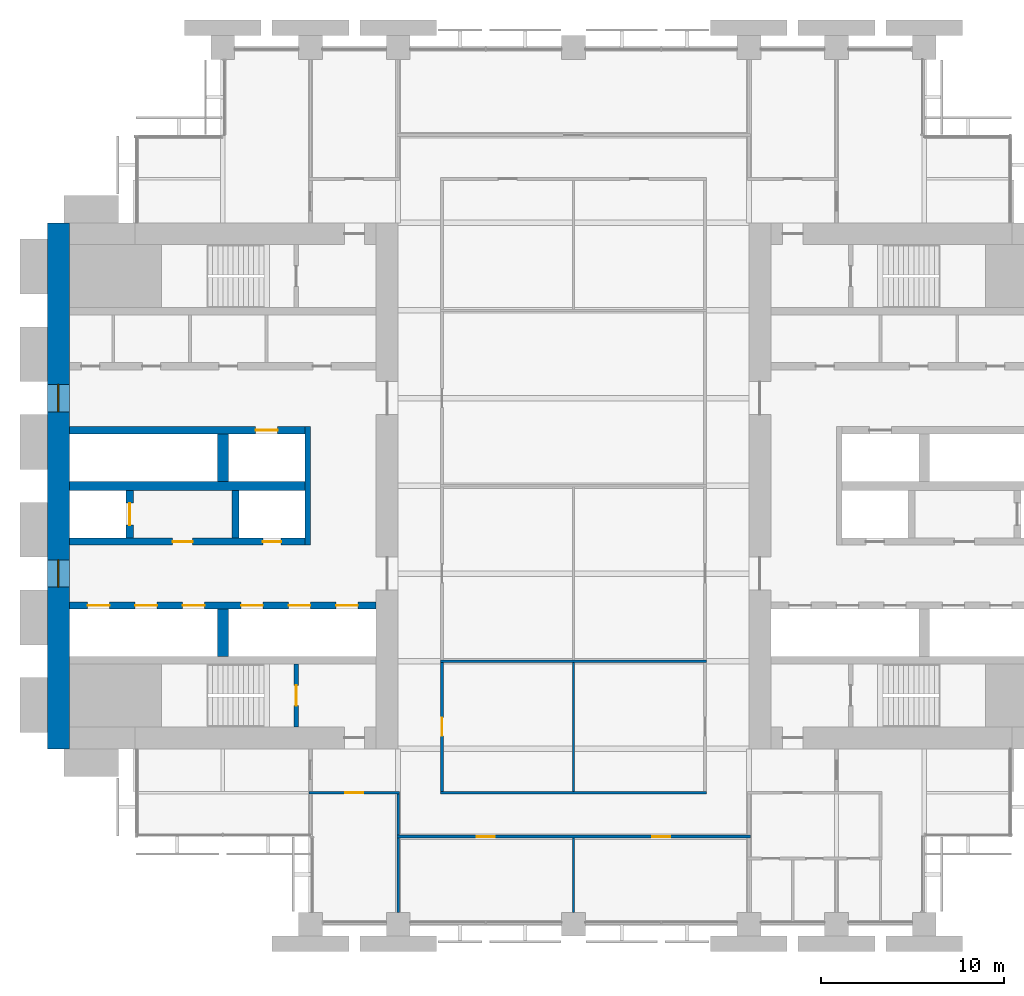
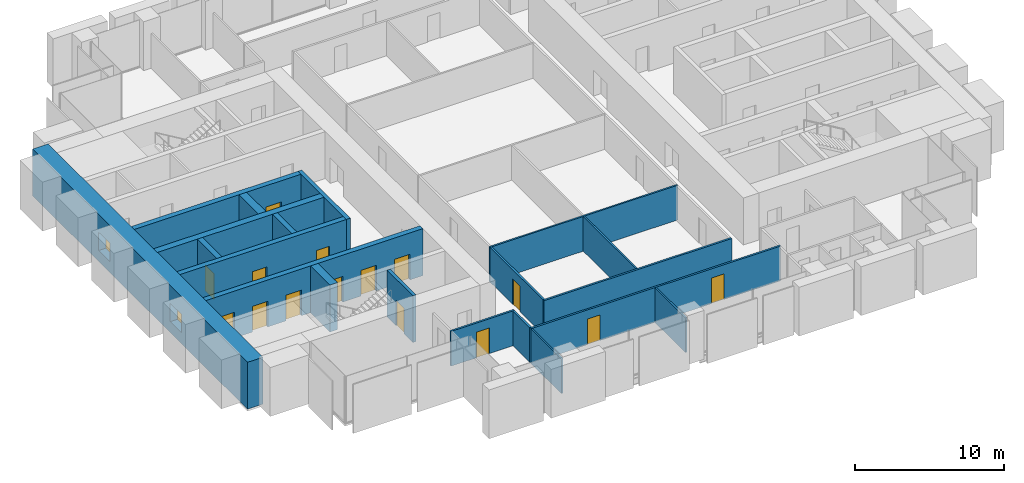
# One storey, part 9 of 14: 20 walls, 15 doors, 2 windows, 17 openings.
"""IFC4 building model written with IfcOpenShell, lengths in metres."""

from ifc_helpers import new_model, si_unit, direction, frame, frame_2d, origin, place, context, subcontext, project, spatial, rectangle, extrude, material, layer, layer_set, type_object, element, fill, save


model = new_model("IFC4")

# Units and contexts
model_context = context("Model", 3, precision=1e-05, world=origin(), true_north=direction((0.0, 1.0)))
body_context = subcontext(model_context, "Body", "Model", "MODEL_VIEW")
ifc_project = project(units=[si_unit("LENGTHUNIT", "METRE"), si_unit("AREAUNIT", "SQUARE_METRE"), si_unit("VOLUMEUNIT", "CUBIC_METRE"), si_unit("PLANEANGLEUNIT", "RADIAN"), si_unit("MASSUNIT", "GRAM", prefix="KILO")], contexts=[model_context])

# Site, building, storey
site_placement = place(None, origin())
site = spatial("IfcSite", under=ifc_project, at=site_placement, CompositionType="ELEMENT")
building_placement = place(site_placement, origin())
building = spatial("IfcBuilding", under=site, at=building_placement, Name="Baori Bourse Tower", CompositionType="ELEMENT")
storey_placement = place(building_placement, frame((0.0, 0.0, 43.0)))
storey = spatial("IfcBuildingStorey", under=building, at=storey_placement, Name="L08", CompositionType="ELEMENT", Elevation=43.0)

# Wall, openings, windows
ifc_material_1 = material(Name="Concrete f'c 70 MPa", Category="concrete")
ifc_layer_1 = layer(ifc_material_1, 1.199951171875)
ifc_layer_set_1 = layer_set([ifc_layer_1], Name="Core wall 1200 f'c 70")
wall_type_1 = type_object("IfcWallType", Name="Core wall 1200 f'c 70", PredefinedType="SHEAR", material=ifc_layer_set_1)
wall_1_placement = place(storey_placement, frame((0.60009765625, 9.60009765625, 0.0), z_axis=(0.0, 0.0, 1.0), x_axis=(0.0, 1.0, 0.0)))
wall_1 = element("IfcWall", 1, at=wall_1_placement, inside=storey, type_object=wall_type_1, Name="Core wall W01", PredefinedType="SHEAR", context=body_context, shape_type="SweptSolid", body=[
    extrude(rectangle(XDim=28.7998046875, YDim=1.199951171875, at=frame_2d((14.39990234375, 0.0))), origin(), (0.0, 0.0, 1.0), 3.840087890625),
])
opening_1_placement = place(wall_1_placement, frame((8.85009765625, 0.0, 0.89990234375)))
opening_1 = element("IfcOpeningElement", 2, at=opening_1_placement, cuts=wall_1, Name="Opening L08-KW101", PredefinedType="OPENING", context=body_context, shape_type="SweptSolid", body=[
    extrude(rectangle(XDim=1.5, YDim=1.5, at=frame_2d((0.75, 0.75))), frame((0.0, 0.60986328125, 0.0), z_axis=(0.0, -1.0, 0.0), x_axis=(1.0, 0.0, 0.0)), (0.0, 0.0, 1.0), 1.219970703125),
])
opening_2_placement = place(wall_1_placement, frame((18.449951171875, 0.0, 0.89990234375)))
opening_2 = element("IfcOpeningElement", 3, at=opening_2_placement, cuts=wall_1, Name="Opening L08-KW102", PredefinedType="OPENING", context=body_context, shape_type="SweptSolid", body=[
    extrude(rectangle(XDim=1.5, YDim=1.5, at=frame_2d((0.75, 0.75))), frame((0.0, 0.60986328125, 0.0), z_axis=(0.0, -1.0, 0.0), x_axis=(1.0, 0.0, 0.0)), (0.0, 0.0, 1.0), 1.219970703125),
])
ifc_material_2 = material(Name="Pale anodised aluminium", Category="aluminium")
window_type = type_object("IfcWindowType", Name="Lobby window 1500 x 1500", PartitioningType="SINGLE_PANEL", PredefinedType="WINDOW", material=ifc_material_2)
window_1_placement = place(opening_1_placement, origin())
window_1 = element("IfcWindow", 4, at=window_1_placement, inside=storey, type_object=window_type, Name="Outer wall window W L08 1", OverallHeight=1.5, OverallWidth=1.5, PartitioningType="SINGLE_PANEL", PredefinedType="WINDOW", context=body_context, shape_type="SweptSolid", body=[
    extrude(rectangle(XDim=1.5, YDim=1.5, at=frame_2d((0.75, 0.75))), frame((0.0, 0.030029296875, 0.0), z_axis=(0.0, -1.0, 0.0), x_axis=(1.0, 0.0, 0.0)), (0.0, 0.0, 1.0), 0.06005859375),
])
fill(opening_1, window_1)
window_2_placement = place(opening_2_placement, origin())
window_2 = element("IfcWindow", 5, at=window_2_placement, inside=storey, type_object=window_type, Name="Outer wall window W L08 2", OverallHeight=1.5, OverallWidth=1.5, PartitioningType="SINGLE_PANEL", PredefinedType="WINDOW", context=body_context, shape_type="SweptSolid", body=[
    extrude(rectangle(XDim=1.5, YDim=1.5, at=frame_2d((0.75, 0.75))), frame((0.0, 0.030029296875, 0.0), z_axis=(0.0, -1.0, 0.0), x_axis=(1.0, 0.0, 0.0)), (0.0, 0.0, 1.0), 0.06005859375),
])
fill(opening_2, window_2)

# Wall, openings, doors
ifc_material_3 = material(Name="Gypsum board partition")
ifc_layer_2 = layer(ifc_material_3, 0.14990234375)
ifc_layer_set_2 = layer_set([ifc_layer_2], Name="Corridor partition 150")
wall_type_2 = type_object("IfcWallType", Name="Corridor partition 150", PredefinedType="PARTITIONING", material=ifc_layer_set_2)
wall_2_placement = place(storey_placement, frame((19.125, 4.800048828125, 0.0), z_axis=(0.0, 0.0, 1.0), x_axis=(1.0, 0.0, 0.0)))
wall_2 = element("IfcWall", 6, at=wall_2_placement, inside=storey, type_object=wall_type_2, Name="Partition", PredefinedType="PARTITIONING", context=body_context, shape_type="SweptSolid", body=[
    extrude(rectangle(XDim=19.35009765625, YDim=0.14990234375, at=frame_2d((9.675048828125, 0.0))), origin(), (0.0, 0.0, 1.0), 2.849365234375),
])
opening_3_placement = place(wall_2_placement, frame((4.375, 0.0, 0.0)))
opening_3 = element("IfcOpeningElement", 7, at=opening_3_placement, cuts=wall_2, Name="Opening L08-D04", PredefinedType="OPENING", context=body_context, shape_type="SweptSolid", body=[
    extrude(rectangle(XDim=1.0, YDim=2.10009765625, at=frame_2d((0.5, 1.050048828125))), frame((0.0, 0.0849609375, 0.0), z_axis=(0.0, -1.0, 0.0), x_axis=(1.0, 0.0, 0.0)), (0.0, 0.0, 1.0), 0.169921875),
])
opening_4_placement = place(wall_2_placement, frame((13.97509765625, 0.0, 0.0)))
opening_4 = element("IfcOpeningElement", 8, at=opening_4_placement, cuts=wall_2, Name="Opening L08-D05", PredefinedType="OPENING", context=body_context, shape_type="SweptSolid", body=[
    extrude(rectangle(XDim=1.0, YDim=2.10009765625, at=frame_2d((0.5, 1.050048828125))), frame((0.0, 0.0849609375, 0.0), z_axis=(0.0, -1.0, 0.0), x_axis=(1.0, 0.0, 0.0)), (0.0, 0.0, 1.0), 0.169921875),
])
ifc_material_4 = material(Name="Timber door leaf", Category="wood")
door_type_1 = type_object("IfcDoorType", Name="Door 1000 x 2100", OperationType="SINGLE_SWING_LEFT", PredefinedType="DOOR", material=ifc_material_4)
door_1_placement = place(opening_3_placement, origin())
door_1 = element("IfcDoor", 9, at=door_1_placement, inside=storey, type_object=door_type_1, Name="Door", OperationType="SINGLE_SWING_LEFT", OverallHeight=2.10009765625, OverallWidth=1.0, PredefinedType="DOOR", context=body_context, shape_type="SweptSolid", body=[
    extrude(rectangle(XDim=1.0, YDim=2.10009765625, at=frame_2d((0.5, 1.050048828125))), frame((0.0, 0.02490234375, 0.0), z_axis=(0.0, -1.0, 0.0), x_axis=(1.0, 0.0, 0.0)), (0.0, 0.0, 1.0), 0.050048828125),
])
fill(opening_3, door_1)
door_2_placement = place(opening_4_placement, origin())
door_2 = element("IfcDoor", 10, at=door_2_placement, inside=storey, type_object=door_type_1, Name="Door", OperationType="SINGLE_SWING_RIGHT", OverallHeight=2.10009765625, OverallWidth=1.0, PredefinedType="DOOR", context=body_context, shape_type="SweptSolid", body=[
    extrude(rectangle(XDim=1.0, YDim=2.10009765625, at=frame_2d((0.5, 1.050048828125))), frame((0.0, 0.02490234375, 0.0), z_axis=(0.0, -1.0, 0.0), x_axis=(1.0, 0.0, 0.0)), (0.0, 0.0, 1.0), 0.050048828125),
])
fill(opening_4, door_2)

# Wall, opening, door
wall_3_placement = place(storey_placement, frame((14.324951171875, 7.199951171875, 0.0), z_axis=(0.0, 0.0, 1.0), x_axis=(1.0, 0.0, 0.0)))
wall_3 = element("IfcWall", 11, at=wall_3_placement, inside=storey, type_object=wall_type_2, Name="Partition", PredefinedType="PARTITIONING", context=body_context, shape_type="SweptSolid", body=[
    extrude(rectangle(XDim=4.949951171875, YDim=0.14990234375, at=frame_2d((2.47509765625, 0.0))), origin(), (0.0, 0.0, 1.0), 2.849365234375),
])
opening_5_placement = place(wall_3_placement, frame((1.97509765625, 0.0, 0.0)))
opening_5 = element("IfcOpeningElement", 12, at=opening_5_placement, cuts=wall_3, Name="Opening L08-D06", PredefinedType="OPENING", context=body_context, shape_type="SweptSolid", body=[
    extrude(rectangle(XDim=1.0, YDim=2.10009765625, at=frame_2d((0.5, 1.050048828125))), frame((0.0, 0.0849609375, 0.0), z_axis=(0.0, -1.0, 0.0), x_axis=(1.0, 0.0, 0.0)), (0.0, 0.0, 1.0), 0.169921875),
])
door_3_placement = place(opening_5_placement, origin())
door_3 = element("IfcDoor", 13, at=door_3_placement, inside=storey, type_object=door_type_1, Name="Door", OperationType="SINGLE_SWING_RIGHT", OverallHeight=2.10009765625, OverallWidth=1.0, PredefinedType="DOOR", context=body_context, shape_type="SweptSolid", body=[
    extrude(rectangle(XDim=1.0, YDim=2.10009765625, at=frame_2d((0.5, 1.050048828125))), frame((0.0, 0.02490234375, 0.0), z_axis=(0.0, -1.0, 0.0), x_axis=(1.0, 0.0, 0.0)), (0.0, 0.0, 1.0), 0.050048828125),
])
fill(opening_5, door_3)

# Walls
wall_4_placement = place(storey_placement, frame((21.52490234375, 7.199951171875, 0.0), z_axis=(0.0, 0.0, 1.0), x_axis=(1.0, 0.0, 0.0)))
element("IfcWall", 14, at=wall_4_placement, inside=storey, type_object=wall_type_2, Name="Partition", PredefinedType="PARTITIONING", context=body_context, shape_type="SweptSolid", body=[
    extrude(rectangle(XDim=14.550048828125, YDim=0.14990234375, at=frame_2d((7.27490234375, 0.0))), origin(), (0.0, 0.0, 1.0), 2.849365234375),
])
wall_5_placement = place(storey_placement, frame((19.199951171875, 4.875, 0.0), z_axis=(0.0, 0.0, 1.0), x_axis=(0.0, 1.0, 0.0)))
element("IfcWall", 15, at=wall_5_placement, inside=storey, type_object=wall_type_2, Name="Partition", PredefinedType="PARTITIONING", context=body_context, shape_type="SweptSolid", body=[
    extrude(rectangle(XDim=2.25, YDim=0.14990234375, at=frame_2d((1.125, 0.0))), origin(), (0.0, 0.0, 1.0), 2.849365234375),
])

# Wall, opening, door
wall_6_placement = place(storey_placement, frame((21.60009765625, 7.27490234375, 0.0), z_axis=(0.0, 0.0, 1.0), x_axis=(0.0, 1.0, 0.0)))
wall_6 = element("IfcWall", 16, at=wall_6_placement, inside=storey, type_object=wall_type_2, Name="Partition", PredefinedType="PARTITIONING", context=body_context, shape_type="SweptSolid", body=[
    extrude(rectangle(XDim=7.0625, YDim=0.14990234375, at=frame_2d((3.53125, 0.0))), origin(), (0.0, 0.0, 1.0), 2.849365234375),
])
opening_6_placement = place(wall_6_placement, frame((3.03125, 0.0, 0.0)))
opening_6 = element("IfcOpeningElement", 17, at=opening_6_placement, cuts=wall_6, Name="Opening L08-D15", PredefinedType="OPENING", context=body_context, shape_type="SweptSolid", body=[
    extrude(rectangle(XDim=1.0, YDim=2.10009765625, at=frame_2d((0.5, 1.050048828125))), frame((0.0, 0.0849609375, 0.0), z_axis=(0.0, -1.0, 0.0), x_axis=(1.0, 0.0, 0.0)), (0.0, 0.0, 1.0), 0.169921875),
])
door_4_placement = place(opening_6_placement, origin())
door_4 = element("IfcDoor", 18, at=door_4_placement, inside=storey, type_object=door_type_1, Name="Door", OperationType="SINGLE_SWING_LEFT", OverallHeight=2.10009765625, OverallWidth=1.0, PredefinedType="DOOR", context=body_context, shape_type="SweptSolid", body=[
    extrude(rectangle(XDim=1.0, YDim=2.10009765625, at=frame_2d((0.5, 1.050048828125))), frame((0.0, 0.02490234375, 0.0), z_axis=(0.0, -1.0, 0.0), x_axis=(1.0, 0.0, 0.0)), (0.0, 0.0, 1.0), 0.050048828125),
])
fill(opening_6, door_4)

# Walls
ifc_material_5 = material(Name="Gypsum board partition")
ifc_layer_3 = layer(ifc_material_5, 0.125)
ifc_layer_set_3 = layer_set([ifc_layer_3], Name="Partition 125")
wall_type_3 = type_object("IfcWallType", Name="Partition 125", PredefinedType="PARTITIONING", material=ifc_layer_set_3)
wall_7_placement = place(storey_placement, frame((21.52490234375, 14.39990234375, 0.0), z_axis=(0.0, 0.0, 1.0), x_axis=(1.0, 0.0, 0.0)))
element("IfcWall", 19, at=wall_7_placement, inside=storey, type_object=wall_type_3, Name="Partition", PredefinedType="PARTITIONING", context=body_context, shape_type="SweptSolid", body=[
    extrude(rectangle(XDim=14.550048828125, YDim=0.125, at=frame_2d((7.27490234375, 0.0))), origin(), (0.0, 0.0, 1.0), 2.849365234375),
])
for number, where, z_axis, x_axis, name in (
    (20, (19.199951171875, 0.64990234375, 0.0), (0.0, 0.0, 1.0), (0.0, 1.0, 0.0), "Partition"),
    (21, (28.800048828125, 0.64990234375, 0.0), (0.0, 0.0, 1.0), (0.0, 1.0, 0.0), "Partition"),
):
    element("IfcWall", number, at=place(storey_placement, frame(where, z_axis=z_axis, x_axis=x_axis)), inside=storey, type_object=wall_type_3, Name=name, PredefinedType="PARTITIONING", context=body_context, shape_type="SweptSolid", body=[
        extrude(rectangle(XDim=4.0751953125, YDim=0.125, at=frame_2d((2.03759765625, 0.0))), origin(), (0.0, 0.0, 1.0), 2.849365234375),
    ])
wall_8_placement = place(storey_placement, frame((28.800048828125, 7.27490234375, 0.0), z_axis=(0.0, 0.0, 1.0), x_axis=(0.0, 1.0, 0.0)))
element("IfcWall", 22, at=wall_8_placement, inside=storey, type_object=wall_type_3, Name="Partition", PredefinedType="PARTITIONING", context=body_context, shape_type="SweptSolid", body=[
    extrude(rectangle(XDim=7.0625, YDim=0.125, at=frame_2d((3.53125, 0.0))), origin(), (0.0, 0.0, 1.0), 2.849365234375),
])

# Wall, opening, door
ifc_material_6 = material(Name="Concrete f'c 70 MPa", Category="concrete")
ifc_layer_4 = layer(ifc_material_6, 0.25)
ifc_layer_set_4 = layer_set([ifc_layer_4], Name="Shaft wall 250 f'c 70")
wall_type_4 = type_object("IfcWallType", Name="Shaft wall 250 f'c 70", PredefinedType="SHEAR", material=ifc_layer_set_4)
wall_9_placement = place(storey_placement, frame((13.625, 10.800048828125, 0.0), z_axis=(0.0, 0.0, 1.0), x_axis=(0.0, 1.0, 0.0)))
wall_9 = element("IfcWall", 23, at=wall_9_placement, inside=storey, type_object=wall_type_4, Name="Core wall W06", PredefinedType="SHEAR", context=body_context, shape_type="SweptSolid", body=[
    extrude(rectangle(XDim=3.449951171875, YDim=0.25, at=frame_2d((1.72509765625, 0.0))), origin(), (0.0, 0.0, 1.0), 3.840087890625),
])
opening_7_placement = place(wall_9_placement, frame((1.175048828125, 0.0, 0.0)))
opening_7 = element("IfcOpeningElement", 24, at=opening_7_placement, cuts=wall_9, Name="Opening L08-D101", PredefinedType="OPENING", context=body_context, shape_type="SweptSolid", body=[
    extrude(rectangle(XDim=1.10009765625, YDim=2.10009765625, at=frame_2d((0.550048828125, 1.050048828125))), frame((0.0, 0.135009765625, 0.0), z_axis=(0.0, -1.0, 0.0), x_axis=(1.0, 0.0, 0.0)), (0.0, 0.0, 1.0), 0.27001953125),
])
ifc_material_7 = material(Name="Painted steel door", Category="steel")
door_type_2 = type_object("IfcDoorType", Name="Stair door 1100", OperationType="SINGLE_SWING_LEFT", PredefinedType="DOOR", material=ifc_material_7)
door_5_placement = place(opening_7_placement, origin())
door_5 = element("IfcDoor", 25, at=door_5_placement, inside=storey, type_object=door_type_2, Name="Stair door A W L08", OperationType="SINGLE_SWING_LEFT", OverallHeight=2.10009765625, OverallWidth=1.10009765625, PredefinedType="DOOR", context=body_context, shape_type="SweptSolid", body=[
    extrude(rectangle(XDim=1.10009765625, YDim=2.10009765625, at=frame_2d((0.550048828125, 1.050048828125))), frame((0.0, 0.02490234375, 0.0), z_axis=(0.0, -1.0, 0.0), x_axis=(1.0, 0.0, 0.0)), (0.0, 0.0, 1.0), 0.050048828125),
])
fill(opening_7, door_5)

# Wall
ifc_material_8 = material(Name="Concrete f'c 70 MPa", Category="concrete")
ifc_layer_5 = layer(ifc_material_8, 0.300048828125)
ifc_layer_set_5 = layer_set([ifc_layer_5], Name="Shaft wall 300 f'c 70")
wall_type_5 = type_object("IfcWallType", Name="Shaft wall 300 f'c 70", PredefinedType="SHEAR", material=ifc_layer_set_5)
wall_10_placement = place(storey_placement, frame((14.25, 20.75, 0.0), z_axis=(0.0, 0.0, 1.0), x_axis=(0.0, 1.0, 0.0)))
element("IfcWall", 26, at=wall_10_placement, inside=storey, type_object=wall_type_5, Name="Core wall W11", PredefinedType="SHEAR", context=body_context, shape_type="SweptSolid", body=[
    extrude(rectangle(XDim=6.5, YDim=0.300048828125, at=frame_2d((3.25, 0.0))), origin(), (0.0, 0.0, 1.0), 3.840087890625),
])

# Wall, openings, doors
ifc_material_9 = material(Name="Concrete f'c 70 MPa", Category="concrete")
ifc_layer_6 = layer(ifc_material_9, 0.39990234375)
ifc_layer_set_6 = layer_set([ifc_layer_6], Name="Shaft wall 400 f'c 70")
wall_type_6 = type_object("IfcWallType", Name="Shaft wall 400 f'c 70", PredefinedType="SHEAR", material=ifc_layer_set_6)
wall_11_placement = place(storey_placement, frame((1.199951171875, 17.449951171875, 0.0), z_axis=(0.0, 0.0, 1.0), x_axis=(1.0, 0.0, 0.0)))
wall_11 = element("IfcWall", 27, at=wall_11_placement, inside=storey, type_object=wall_type_6, Name="Core wall W09", PredefinedType="SHEAR", context=body_context, shape_type="SweptSolid", body=[
    extrude(rectangle(XDim=16.800048828125, YDim=0.39990234375, at=frame_2d((8.39990234375, 0.0))), origin(), (0.0, 0.0, 1.0), 3.840087890625),
])
opening_8_placement = place(wall_11_placement, frame((1.0, 0.0, 0.0)))
opening_8 = element("IfcOpeningElement", 28, at=opening_8_placement, cuts=wall_11, Name="Opening L08-D113", PredefinedType="OPENING", context=body_context, shape_type="SweptSolid", body=[
    extrude(rectangle(XDim=1.199951171875, YDim=2.10009765625, at=frame_2d((0.60009765625, 1.050048828125))), frame((0.0, 0.2099609375, 0.0), z_axis=(0.0, -1.0, 0.0), x_axis=(1.0, 0.0, 0.0)), (0.0, 0.0, 1.0), 0.419921875),
])
opening_9_placement = place(wall_11_placement, frame((3.60009765625, 0.0, 0.0)))
opening_9 = element("IfcOpeningElement", 29, at=opening_9_placement, cuts=wall_11, Name="Opening L08-D114", PredefinedType="OPENING", context=body_context, shape_type="SweptSolid", body=[
    extrude(rectangle(XDim=1.199951171875, YDim=2.10009765625, at=frame_2d((0.60009765625, 1.050048828125))), frame((0.0, 0.2099609375, 0.0), z_axis=(0.0, -1.0, 0.0), x_axis=(1.0, 0.0, 0.0)), (0.0, 0.0, 1.0), 0.419921875),
])
opening_10_placement = place(wall_11_placement, frame((6.199951171875, 0.0, 0.0)))
opening_10 = element("IfcOpeningElement", 30, at=opening_10_placement, cuts=wall_11, Name="Opening L08-D115", PredefinedType="OPENING", context=body_context, shape_type="SweptSolid", body=[
    extrude(rectangle(XDim=1.199951171875, YDim=2.10009765625, at=frame_2d((0.60009765625, 1.050048828125))), frame((0.0, 0.2099609375, 0.0), z_axis=(0.0, -1.0, 0.0), x_axis=(1.0, 0.0, 0.0)), (0.0, 0.0, 1.0), 0.419921875),
])
opening_11_placement = place(wall_11_placement, frame((9.39990234375, 0.0, 0.0)))
opening_11 = element("IfcOpeningElement", 31, at=opening_11_placement, cuts=wall_11, Name="Opening L08-D116", PredefinedType="OPENING", context=body_context, shape_type="SweptSolid", body=[
    extrude(rectangle(XDim=1.199951171875, YDim=2.10009765625, at=frame_2d((0.60009765625, 1.050048828125))), frame((0.0, 0.2099609375, 0.0), z_axis=(0.0, -1.0, 0.0), x_axis=(1.0, 0.0, 0.0)), (0.0, 0.0, 1.0), 0.419921875),
])
opening_12_placement = place(wall_11_placement, frame((12.0, 0.0, 0.0)))
opening_12 = element("IfcOpeningElement", 32, at=opening_12_placement, cuts=wall_11, Name="Opening L08-D117", PredefinedType="OPENING", context=body_context, shape_type="SweptSolid", body=[
    extrude(rectangle(XDim=1.199951171875, YDim=2.10009765625, at=frame_2d((0.60009765625, 1.050048828125))), frame((0.0, 0.2099609375, 0.0), z_axis=(0.0, -1.0, 0.0), x_axis=(1.0, 0.0, 0.0)), (0.0, 0.0, 1.0), 0.419921875),
])
opening_13_placement = place(wall_11_placement, frame((14.60009765625, 0.0, 0.0)))
opening_13 = element("IfcOpeningElement", 33, at=opening_13_placement, cuts=wall_11, Name="Opening L08-D118", PredefinedType="OPENING", context=body_context, shape_type="SweptSolid", body=[
    extrude(rectangle(XDim=1.199951171875, YDim=2.10009765625, at=frame_2d((0.60009765625, 1.050048828125))), frame((0.0, 0.2099609375, 0.0), z_axis=(0.0, -1.0, 0.0), x_axis=(1.0, 0.0, 0.0)), (0.0, 0.0, 1.0), 0.419921875),
])
ifc_material_10 = material(Name="Stainless steel door", Category="steel")
door_type_3 = type_object("IfcDoorType", Name="Lift landing door", OperationType="DOUBLE_DOOR_SLIDING", PredefinedType="DOOR", material=ifc_material_10)
door_6_placement = place(opening_8_placement, origin())
door_6 = element("IfcDoor", 34, at=door_6_placement, inside=storey, type_object=door_type_3, Name="Lift landing door LR1 W L08", OperationType="DOUBLE_DOOR_SLIDING", OverallHeight=2.10009765625, OverallWidth=1.199951171875, PredefinedType="DOOR", context=body_context, shape_type="SweptSolid", body=[
    extrude(rectangle(XDim=1.199951171875, YDim=2.10009765625, at=frame_2d((0.60009765625, 1.050048828125))), frame((0.0, 0.02490234375, 0.0), z_axis=(0.0, -1.0, 0.0), x_axis=(1.0, 0.0, 0.0)), (0.0, 0.0, 1.0), 0.050048828125),
])
fill(opening_8, door_6)
door_7_placement = place(opening_9_placement, origin())
door_7 = element("IfcDoor", 35, at=door_7_placement, inside=storey, type_object=door_type_3, Name="Lift landing door LR2 W L08", OperationType="DOUBLE_DOOR_SLIDING", OverallHeight=2.10009765625, OverallWidth=1.199951171875, PredefinedType="DOOR", context=body_context, shape_type="SweptSolid", body=[
    extrude(rectangle(XDim=1.199951171875, YDim=2.10009765625, at=frame_2d((0.60009765625, 1.050048828125))), frame((0.0, 0.02490234375, 0.0), z_axis=(0.0, -1.0, 0.0), x_axis=(1.0, 0.0, 0.0)), (0.0, 0.0, 1.0), 0.050048828125),
])
fill(opening_9, door_7)
door_8_placement = place(opening_10_placement, origin())
door_8 = element("IfcDoor", 36, at=door_8_placement, inside=storey, type_object=door_type_3, Name="Lift landing door LR3 W L08", OperationType="DOUBLE_DOOR_SLIDING", OverallHeight=2.10009765625, OverallWidth=1.199951171875, PredefinedType="DOOR", context=body_context, shape_type="SweptSolid", body=[
    extrude(rectangle(XDim=1.199951171875, YDim=2.10009765625, at=frame_2d((0.60009765625, 1.050048828125))), frame((0.0, 0.02490234375, 0.0), z_axis=(0.0, -1.0, 0.0), x_axis=(1.0, 0.0, 0.0)), (0.0, 0.0, 1.0), 0.050048828125),
])
fill(opening_10, door_8)
door_9_placement = place(opening_11_placement, origin())
door_9 = element("IfcDoor", 37, at=door_9_placement, inside=storey, type_object=door_type_3, Name="Lift landing door LR4 W L08", OperationType="DOUBLE_DOOR_SLIDING", OverallHeight=2.10009765625, OverallWidth=1.199951171875, PredefinedType="DOOR", context=body_context, shape_type="SweptSolid", body=[
    extrude(rectangle(XDim=1.199951171875, YDim=2.10009765625, at=frame_2d((0.60009765625, 1.050048828125))), frame((0.0, 0.02490234375, 0.0), z_axis=(0.0, -1.0, 0.0), x_axis=(1.0, 0.0, 0.0)), (0.0, 0.0, 1.0), 0.050048828125),
])
fill(opening_11, door_9)
door_10_placement = place(opening_12_placement, origin())
door_10 = element("IfcDoor", 38, at=door_10_placement, inside=storey, type_object=door_type_3, Name="Lift landing door LR5 W L08", OperationType="DOUBLE_DOOR_SLIDING", OverallHeight=2.10009765625, OverallWidth=1.199951171875, PredefinedType="DOOR", context=body_context, shape_type="SweptSolid", body=[
    extrude(rectangle(XDim=1.199951171875, YDim=2.10009765625, at=frame_2d((0.60009765625, 1.050048828125))), frame((0.0, 0.02490234375, 0.0), z_axis=(0.0, -1.0, 0.0), x_axis=(1.0, 0.0, 0.0)), (0.0, 0.0, 1.0), 0.050048828125),
])
fill(opening_12, door_10)
door_11_placement = place(opening_13_placement, origin())
door_11 = element("IfcDoor", 39, at=door_11_placement, inside=storey, type_object=door_type_3, Name="Lift landing door LR6 W L08", OperationType="DOUBLE_DOOR_SLIDING", OverallHeight=2.10009765625, OverallWidth=1.199951171875, PredefinedType="DOOR", context=body_context, shape_type="SweptSolid", body=[
    extrude(rectangle(XDim=1.199951171875, YDim=2.10009765625, at=frame_2d((0.60009765625, 1.050048828125))), frame((0.0, 0.02490234375, 0.0), z_axis=(0.0, -1.0, 0.0), x_axis=(1.0, 0.0, 0.0)), (0.0, 0.0, 1.0), 0.050048828125),
])
fill(opening_13, door_11)

wall_12_placement = place(storey_placement, frame((1.199951171875, 20.949951171875, 0.0), z_axis=(0.0, 0.0, 1.0), x_axis=(1.0, 0.0, 0.0)))
wall_12 = element("IfcWall", 40, at=wall_12_placement, inside=storey, type_object=wall_type_6, Name="Core wall W10", PredefinedType="SHEAR", context=body_context, shape_type="SweptSolid", body=[
    extrude(rectangle(XDim=12.900146484375, YDim=0.39990234375, at=frame_2d((6.4501953125, 0.0))), origin(), (0.0, 0.0, 1.0), 3.840087890625),
])
opening_14_placement = place(wall_12_placement, frame((5.64990234375, 0.0, 0.0)))
opening_14 = element("IfcOpeningElement", 41, at=opening_14_placement, cuts=wall_12, Name="Opening L08-D105", PredefinedType="OPENING", context=body_context, shape_type="SweptSolid", body=[
    extrude(rectangle(XDim=1.10009765625, YDim=2.10009765625, at=frame_2d((0.550048828125, 1.050048828125))), frame((0.0, 0.2099609375, 0.0), z_axis=(0.0, -1.0, 0.0), x_axis=(1.0, 0.0, 0.0)), (0.0, 0.0, 1.0), 0.419921875),
])
opening_15_placement = place(wall_12_placement, frame((10.60009765625, 0.0, 0.0)))
opening_15 = element("IfcOpeningElement", 42, at=opening_15_placement, cuts=wall_12, Name="Opening L08-D106", PredefinedType="OPENING", context=body_context, shape_type="SweptSolid", body=[
    extrude(rectangle(XDim=1.0, YDim=2.10009765625, at=frame_2d((0.5, 1.050048828125))), frame((0.0, 0.2099609375, 0.0), z_axis=(0.0, -1.0, 0.0), x_axis=(1.0, 0.0, 0.0)), (0.0, 0.0, 1.0), 0.419921875),
])
ifc_material_11 = material(Name="Painted steel door", Category="steel")
door_type_4 = type_object("IfcDoorType", Name="Lobby door 1100", OperationType="SINGLE_SWING_LEFT", PredefinedType="DOOR", material=ifc_material_11)
door_12_placement = place(opening_14_placement, origin())
door_12 = element("IfcDoor", 43, at=door_12_placement, inside=storey, type_object=door_type_4, Name="Firefighting lobby door W L08", OperationType="SINGLE_SWING_LEFT", OverallHeight=2.10009765625, OverallWidth=1.10009765625, PredefinedType="DOOR", context=body_context, shape_type="SweptSolid", body=[
    extrude(rectangle(XDim=1.10009765625, YDim=2.10009765625, at=frame_2d((0.550048828125, 1.050048828125))), frame((0.0, 0.02490234375, 0.0), z_axis=(0.0, -1.0, 0.0), x_axis=(1.0, 0.0, 0.0)), (0.0, 0.0, 1.0), 0.050048828125),
])
fill(opening_14, door_12)
ifc_material_12 = material(Name="Painted steel door", Category="steel")
door_type_5 = type_object("IfcDoorType", Name="Shaft door 1000", OperationType="SINGLE_SWING_LEFT", PredefinedType="DOOR", material=ifc_material_12)
door_13_placement = place(opening_15_placement, origin())
door_13 = element("IfcDoor", 44, at=door_13_placement, inside=storey, type_object=door_type_5, Name="Riser room door W L08", OperationType="SINGLE_SWING_LEFT", OverallHeight=2.10009765625, OverallWidth=1.0, PredefinedType="DOOR", context=body_context, shape_type="SweptSolid", body=[
    extrude(rectangle(XDim=1.0, YDim=2.10009765625, at=frame_2d((0.5, 1.050048828125))), frame((0.0, 0.02490234375, 0.0), z_axis=(0.0, -1.0, 0.0), x_axis=(1.0, 0.0, 0.0)), (0.0, 0.0, 1.0), 0.050048828125),
])
fill(opening_15, door_13)

# Wall, opening, door
wall_13_placement = place(storey_placement, frame((4.5, 21.14990234375, 0.0), z_axis=(0.0, 0.0, 1.0), x_axis=(0.0, 1.0, 0.0)))
wall_13 = element("IfcWall", 45, at=wall_13_placement, inside=storey, type_object=wall_type_6, Name="Core wall W12", PredefinedType="SHEAR", context=body_context, shape_type="SweptSolid", body=[
    extrude(rectangle(XDim=2.60009765625, YDim=0.39990234375, at=frame_2d((1.300048828125, 0.0))), origin(), (0.0, 0.0, 1.0), 3.840087890625),
])
opening_16_placement = place(wall_13_placement, frame((0.699951171875, 0.0, 0.0)))
opening_16 = element("IfcOpeningElement", 46, at=opening_16_placement, cuts=wall_13, Name="Opening L08-D120", PredefinedType="OPENING", context=body_context, shape_type="SweptSolid", body=[
    extrude(rectangle(XDim=1.199951171875, YDim=2.10009765625, at=frame_2d((0.60009765625, 1.050048828125))), frame((0.0, 0.2099609375, 0.0), z_axis=(0.0, -1.0, 0.0), x_axis=(1.0, 0.0, 0.0)), (0.0, 0.0, 1.0), 0.419921875),
])
door_14_placement = place(opening_16_placement, origin())
door_14 = element("IfcDoor", 47, at=door_14_placement, inside=storey, type_object=door_type_3, Name="Lift landing door FF1 W L08", OperationType="DOUBLE_DOOR_SLIDING", OverallHeight=2.10009765625, OverallWidth=1.199951171875, PredefinedType="DOOR", context=body_context, shape_type="SweptSolid", body=[
    extrude(rectangle(XDim=1.199951171875, YDim=2.10009765625, at=frame_2d((0.60009765625, 1.050048828125))), frame((0.0, 0.02490234375, 0.0), z_axis=(0.0, -1.0, 0.0), x_axis=(1.0, 0.0, 0.0)), (0.0, 0.0, 1.0), 0.050048828125),
])
fill(opening_16, door_14)

# Wall
wall_14_placement = place(storey_placement, frame((10.300048828125, 21.14990234375, 0.0), z_axis=(0.0, 0.0, 1.0), x_axis=(0.0, 1.0, 0.0)))
element("IfcWall", 48, at=wall_14_placement, inside=storey, type_object=wall_type_6, Name="Core wall W13", PredefinedType="SHEAR", context=body_context, shape_type="SweptSolid", body=[
    extrude(rectangle(XDim=2.60009765625, YDim=0.39990234375, at=frame_2d((1.300048828125, 0.0))), origin(), (0.0, 0.0, 1.0), 3.840087890625),
])

# Wall, opening, door
wall_15_placement = place(storey_placement, frame((1.199951171875, 27.050048828125, 0.0), z_axis=(0.0, 0.0, 1.0), x_axis=(1.0, 0.0, 0.0)))
wall_15 = element("IfcWall", 49, at=wall_15_placement, inside=storey, type_object=wall_type_6, Name="Core wall W16", PredefinedType="SHEAR", context=body_context, shape_type="SweptSolid", body=[
    extrude(rectangle(XDim=12.900146484375, YDim=0.39990234375, at=frame_2d((6.4501953125, 0.0))), origin(), (0.0, 0.0, 1.0), 3.840087890625),
])
opening_17_placement = place(wall_15_placement, frame((10.199951171875, 0.0, 0.0)))
opening_17 = element("IfcOpeningElement", 50, at=opening_17_placement, cuts=wall_15, Name="Opening L08-D119", PredefinedType="OPENING", context=body_context, shape_type="SweptSolid", body=[
    extrude(rectangle(XDim=1.199951171875, YDim=2.10009765625, at=frame_2d((0.60009765625, 1.050048828125))), frame((0.0, 0.2099609375, 0.0), z_axis=(0.0, -1.0, 0.0), x_axis=(1.0, 0.0, 0.0)), (0.0, 0.0, 1.0), 0.419921875),
])
door_15_placement = place(opening_17_placement, origin())
door_15 = element("IfcDoor", 51, at=door_15_placement, inside=storey, type_object=door_type_3, Name="Lift landing door SV1 W L08", OperationType="DOUBLE_DOOR_SLIDING", OverallHeight=2.10009765625, OverallWidth=1.199951171875, PredefinedType="DOOR", context=body_context, shape_type="SweptSolid", body=[
    extrude(rectangle(XDim=1.199951171875, YDim=2.10009765625, at=frame_2d((0.60009765625, 1.050048828125))), frame((0.0, 0.02490234375, 0.0), z_axis=(0.0, -1.0, 0.0), x_axis=(1.0, 0.0, 0.0)), (0.0, 0.0, 1.0), 0.050048828125),
])
fill(opening_17, door_15)

# Walls
ifc_material_13 = material(Name="Concrete f'c 70 MPa", Category="concrete")
ifc_layer_7 = layer(ifc_material_13, 0.5)
ifc_layer_set_7 = layer_set([ifc_layer_7], Name="Shaft wall 500 f'c 70")
wall_type_7 = type_object("IfcWallType", Name="Shaft wall 500 f'c 70", PredefinedType="SHEAR", material=ifc_layer_set_7)
wall_16_placement = place(storey_placement, frame((1.199951171875, 24.0, 0.0), z_axis=(0.0, 0.0, 1.0), x_axis=(1.0, 0.0, 0.0)))
element("IfcWall", 52, at=wall_16_placement, inside=storey, type_object=wall_type_7, Name="Core wall W14", PredefinedType="SHEAR", context=body_context, shape_type="SweptSolid", body=[
    extrude(rectangle(XDim=12.900146484375, YDim=0.5, at=frame_2d((6.4501953125, 0.0))), origin(), (0.0, 0.0, 1.0), 3.840087890625),
])
ifc_material_14 = material(Name="Concrete f'c 70 MPa", Category="concrete")
ifc_layer_8 = layer(ifc_material_14, 0.60009765625)
ifc_layer_set_8 = layer_set([ifc_layer_8], Name="Shaft wall 600 f'c 70")
wall_type_8 = type_object("IfcWallType", Name="Shaft wall 600 f'c 70", PredefinedType="SHEAR", material=ifc_layer_set_8)
for number, where, z_axis, x_axis, name in (
    (53, (9.60009765625, 14.64990234375, 0.0), (0.0, 0.0, 1.0), (0.0, 1.0, 0.0), "Core wall W08"),
    (54, (9.60009765625, 24.25, 0.0), (0.0, 0.0, 1.0), (0.0, 1.0, 0.0), "Core wall W15"),
):
    element("IfcWall", number, at=place(storey_placement, frame(where, z_axis=z_axis, x_axis=x_axis)), inside=storey, type_object=wall_type_8, Name=name, PredefinedType="SHEAR", context=body_context, shape_type="SweptSolid", body=[
        extrude(rectangle(XDim=2.60009765625, YDim=0.60009765625, at=frame_2d((1.300048828125, 0.0))), origin(), (0.0, 0.0, 1.0), 3.840087890625),
    ])

save(model, "model.ifc")
